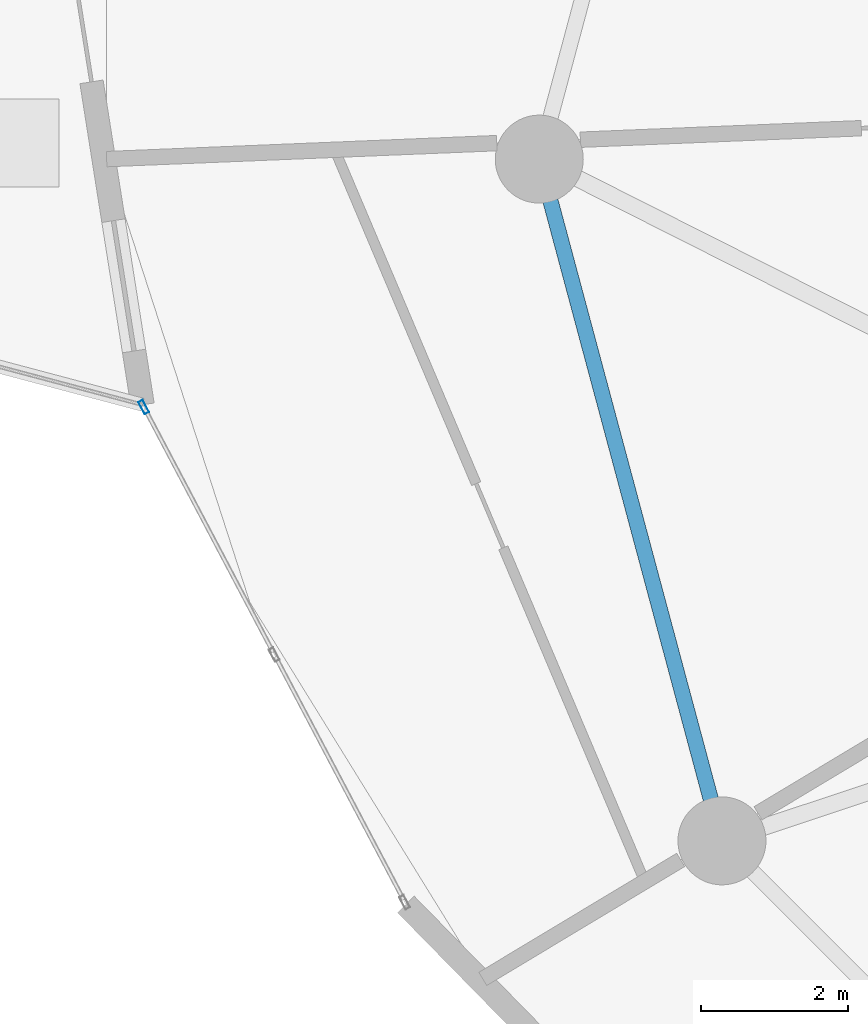
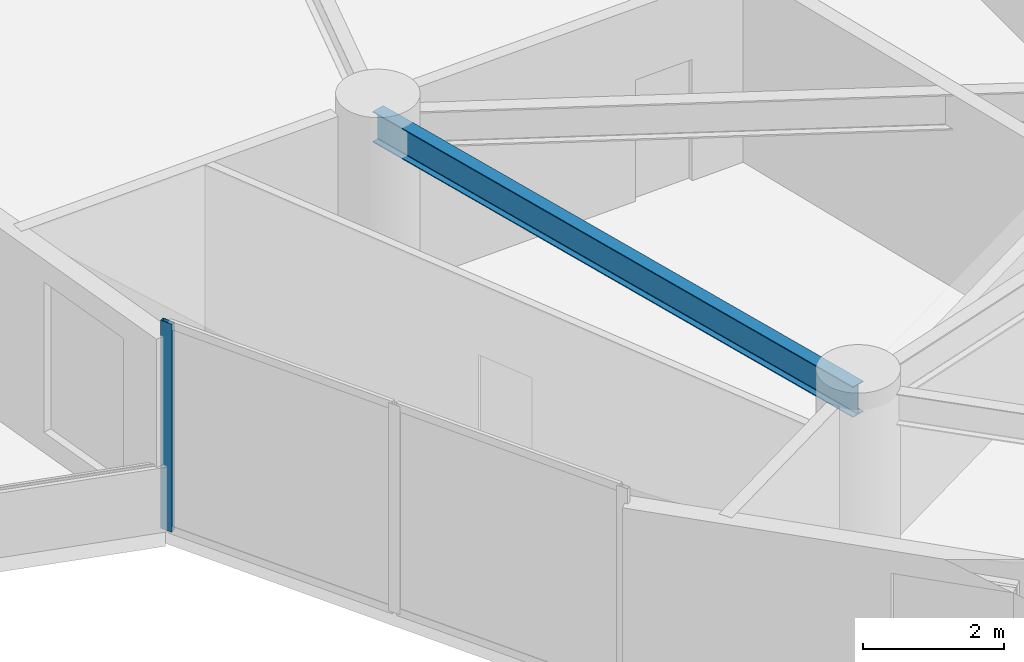
# One storey, part 5 of 24: 1 beam, 1 member, 1 element without a shape of its own.
"""IFC4 building model written with IfcOpenShell, lengths in metres."""

from ifc_helpers import new_model, si_unit, direction, frame, origin, origin_2d, place, context, subcontext, project, spatial, hollow_rectangle, i_section, extrude, source, transform, mapped, material, layer, layer_set, material_profile, profile_set, type_object, element, aggregate, save


model = new_model("IFC4")

# Units and contexts
model_context = context("Model", 3, precision=1e-05, world=origin(), true_north=direction((0.0, 1.0)))
body_context = subcontext(model_context, "Body", "Model", "MODEL_VIEW")
ifc_project = project(units=[si_unit("LENGTHUNIT", "METRE"), si_unit("AREAUNIT", "SQUARE_METRE"), si_unit("VOLUMEUNIT", "CUBIC_METRE"), si_unit("PLANEANGLEUNIT", "RADIAN"), si_unit("MASSUNIT", "GRAM", prefix="KILO")], contexts=[model_context])

# Site, building, storey
site_placement = place(None, origin())
site = spatial("IfcSite", under=ifc_project, at=site_placement, CompositionType="ELEMENT")
building_placement = place(site_placement, origin())
building = spatial("IfcBuilding", under=site, at=building_placement, Name="Solvirekh Grand Hotel", CompositionType="ELEMENT")
storey_placement = place(building_placement, frame((0.0, 0.0, 82.39990234375)))
storey = spatial("IfcBuildingStorey", under=building, at=storey_placement, Name="L20", CompositionType="ELEMENT", Elevation=82.39990234375)

# Beam
ifc_material_1 = material(Name="Steel S355", Category="steel")
ifc_material_profile_1 = material_profile(ifc_material_1, i_section(OverallWidth=0.208984375, OverallDepth=0.532958984375, WebThickness=0.010009765625, FlangeThickness=0.014892578125, FilletRadius=0.013916015625, at=origin_2d()), Name="W530X92")
ifc_profile_set_1 = profile_set([ifc_material_profile_1], Name="Steel S355")
beam_type = type_object("IfcBeamType", Name="Spandrel_Ring_W530", PredefinedType="SPANDREL", material=ifc_profile_set_1)
beam_placement = place(storey_placement, frame((-18.60009765625, 0.0, 3.07421875), z_axis=(0.258842973314, -0.965919414426, 0.0), x_axis=(0.965919414426, 0.258842973314, 0.0)))
element("IfcBeam", 1, at=beam_placement, inside=storey, type_object=beam_type, Name="L20 perimeter spandrel beam 7", PredefinedType="SPANDREL", context=body_context, shape_type="SweptSolid", body=[
    extrude(i_section(OverallWidth=0.208984375, OverallDepth=0.532958984375, WebThickness=0.010009765625, FlangeThickness=0.014892578125, FilletRadius=0.013916015625, at=origin_2d()), origin(), (0.0, 0.0, 1.0), 9.628173828125),
])

# Curtain wall, member
ifc_material_2 = material(Name="Anodized Bronze Aluminium 6063-T6", Category="aluminium")
ifc_layer = layer(ifc_material_2, 0.18994140625)
ifc_layer_set = layer_set([ifc_layer], Name="Anodized Bronze Aluminium 6063-T6")
curtain_wall_type = type_object("IfcCurtainWallType", Name="CW_Sys2_LowZoneFlushBronzeCW", PredefinedType="NOTDEFINED", material=ifc_layer_set)
curtain_wall_placement = place(storey_placement, origin())
curtain_wall = element("IfcCurtainWall", 2, at=curtain_wall_placement, inside=storey, type_object=curtain_wall_type, Name="L20 unitised bronze-glass curtain wall CW-L20-C13", PredefinedType="NOTDEFINED")
ifc_material_profile_2 = material_profile(ifc_material_2, hollow_rectangle(XDim=0.070068359375, YDim=0.18994140625, WallThickness=0.0048828125, at=origin_2d()), Name="ALU RHS 190X70X5")
ifc_profile_set_2 = profile_set([ifc_material_profile_2], Name="Anodized Bronze Aluminium 6063-T6")
member_type = type_object("IfcMemberType", Name="CWMullion_Sys2", PredefinedType="MULLION", material=ifc_profile_set_2)
shared_shape = source(origin(), body_context, "Body", "SweptSolid", [
    extrude(hollow_rectangle(XDim=0.070068359375, YDim=0.18994140625, WallThickness=0.0048828125, at=origin_2d()), origin(), (0.0, 0.0, 1.0), 3.60009765625),
])
member_placement = place(storey_placement, frame((-23.99560546875, -3.382080078125, 0.0), z_axis=(0.0, 0.0, 1.0), x_axis=(0.884670335784, 0.466217113569, 0.0)))
member = element("IfcMember", 3, at=member_placement, type_object=member_type, Name="U02 mullion 1", PredefinedType="MULLION", context=body_context, shape_type="MappedRepresentation", body=[
    mapped(shared_shape, transform((0.0, 0.0, 0.0), x_axis=(1.0, 0.0, 0.0), y_axis=(0.0, 1.0, 0.0), z_axis=(0.0, 0.0, 1.0), scale=1.0)),
])
aggregate(curtain_wall, [member])

save(model, "model.ifc")
